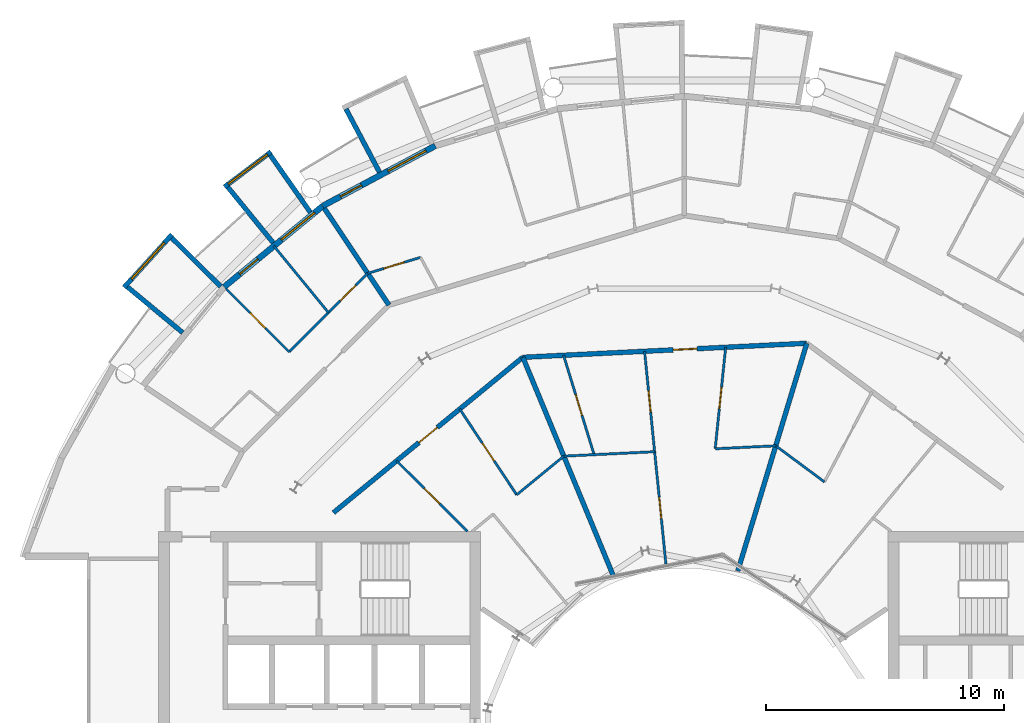
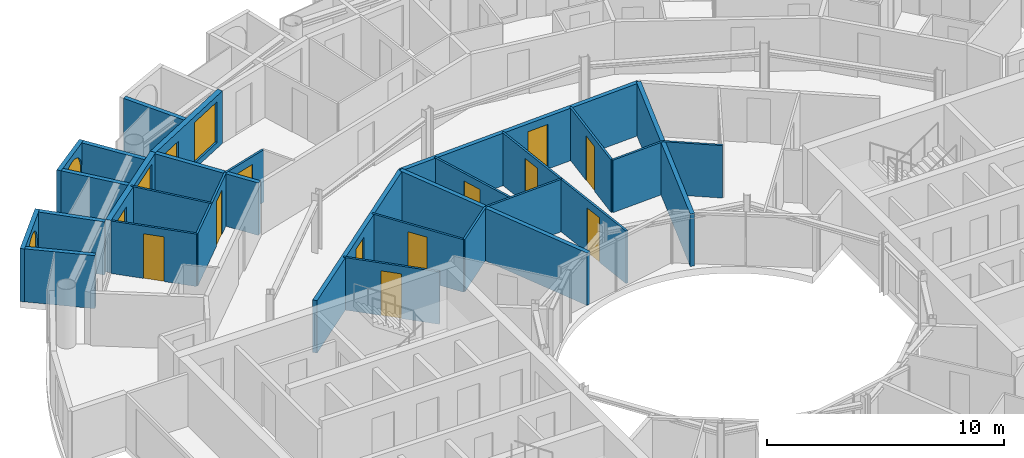
# One storey, part 21 of 29: 27 walls, 13 doors, 4 windows, 17 openings.
"""IFC4 building model written with IfcOpenShell, lengths in metres."""

from ifc_helpers import new_model, si_unit, direction, frame, frame_2d, origin, place, context, subcontext, project, spatial, rectangle, circle, extrude, material, layer, layer_set, type_object, element, fill, save


model = new_model("IFC4")

# Units and contexts
model_context = context("Model", 3, precision=1e-05, world=origin(), true_north=direction((0.0, 1.0)))
body_context = subcontext(model_context, "Body", "Model", "MODEL_VIEW")
ifc_project = project(units=[si_unit("LENGTHUNIT", "METRE"), si_unit("AREAUNIT", "SQUARE_METRE"), si_unit("VOLUMEUNIT", "CUBIC_METRE"), si_unit("PLANEANGLEUNIT", "RADIAN"), si_unit("MASSUNIT", "GRAM", prefix="KILO")], contexts=[model_context])

# Site, building, storey
site_placement = place(None, origin())
site = spatial("IfcSite", under=ifc_project, at=site_placement, CompositionType="ELEMENT")
building_placement = place(site_placement, origin())
building = spatial("IfcBuilding", under=site, at=building_placement, Name="Maasbend Ring Residences", CompositionType="ELEMENT")
storey_placement = place(building_placement, frame((0.0, 0.0, 205.449951171875)))
storey = spatial("IfcBuildingStorey", under=building, at=storey_placement, Name="L59", CompositionType="ELEMENT", Elevation=205.449951171875)

# Wall, opening, door
ifc_material_1 = material(Name="Concrete C30/37", Category="concrete")
ifc_layer_1 = layer(ifc_material_1, 0.199951171875)
ifc_layer_set_1 = layer_set([ifc_layer_1], Name="Concrete C30/37")
wall_type_1 = type_object("IfcWallType", Name="CORRIDOR WALL 200 CONCRETE", PredefinedType="PARTITIONING", material=ifc_layer_set_1)
wall_1_placement = place(storey_placement, frame((-6.782958984375, 16.35009765625, 0.0), z_axis=(0.0, 0.0, 1.0), x_axis=(0.998781156301, 0.049357895202, 0.0)))
wall_1 = element("IfcWall", 1, at=wall_1_placement, inside=storey, type_object=wall_type_1, Name="U-L59-w101", PredefinedType="PARTITIONING", context=body_context, shape_type="SweptSolid", body=[
    extrude(rectangle(XDim=11.9306640625, YDim=0.199951171875, at=frame_2d((5.96533203125, 0.0))), origin(), (0.0, 0.0, 1.0), 2.699951171875),
])
opening_1_placement = place(wall_1_placement, frame((6.322021484375, 0.0, 0.0)))
opening_1 = element("IfcOpeningElement", 2, at=opening_1_placement, cuts=wall_1, Name="Opening D-5925", PredefinedType="OPENING", context=body_context, shape_type="SweptSolid", body=[
    extrude(rectangle(XDim=1.0, YDim=2.300048828125, at=frame_2d((0.5, 1.14990234375))), frame((0.0, 0.10986328125, 0.0), z_axis=(0.0, -1.0, 0.0), x_axis=(1.0, 0.0, 0.0)), (0.0, 0.0, 1.0), 0.219970703125),
])
ifc_material_2 = material(Name="Timber, fire-rated, painted", Category="wood")
door_type_1 = type_object("IfcDoorType", Name="FLAT ENTRANCE DOOR 1000 X 2300 FIRE-RATED", OperationType="NOTDEFINED", PredefinedType="DOOR", material=ifc_material_2)
door_1_placement = place(opening_1_placement, origin())
door_1 = element("IfcDoor", 3, at=door_1_placement, inside=storey, type_object=door_type_1, Name="D-5925", OperationType="SINGLE_SWING_RIGHT", OverallHeight=2.300048828125, OverallWidth=1.0, PredefinedType="DOOR", context=body_context, shape_type="SweptSolid", body=[
    extrude(rectangle(XDim=1.0, YDim=2.300048828125, at=frame_2d((0.5, 1.14990234375))), frame((0.0, 0.02490234375, 0.0), z_axis=(0.0, -1.0, 0.0), x_axis=(1.0, 0.0, 0.0)), (0.0, 0.0, 1.0), 0.050048828125),
])
fill(opening_1, door_1)

wall_2_placement = place(storey_placement, frame((-14.717041015625, 9.833984375, 0.0), z_axis=(0.0, 0.0, 1.0), x_axis=(0.773034536097, 0.634363938131, 0.0)))
wall_2 = element("IfcWall", 4, at=wall_2_placement, inside=storey, type_object=wall_type_1, Name="U-L59-w103", PredefinedType="PARTITIONING", context=body_context, shape_type="SweptSolid", body=[
    extrude(rectangle(XDim=10.276611328125, YDim=0.199951171875, at=frame_2d((5.13818359375, 0.0))), origin(), (0.0, 0.0, 1.0), 2.699951171875),
])
opening_2_placement = place(wall_2_placement, frame((4.637939453125, 0.0, 0.0)))
opening_2 = element("IfcOpeningElement", 5, at=opening_2_placement, cuts=wall_2, Name="Opening D-5930", PredefinedType="OPENING", context=body_context, shape_type="SweptSolid", body=[
    extrude(rectangle(XDim=1.0, YDim=2.300048828125, at=frame_2d((0.5, 1.14990234375))), frame((0.0, 0.10986328125, 0.0), z_axis=(0.0, -1.0, 0.0), x_axis=(1.0, 0.0, 0.0)), (0.0, 0.0, 1.0), 0.219970703125),
])
door_2_placement = place(opening_2_placement, origin())
door_2 = element("IfcDoor", 6, at=door_2_placement, inside=storey, type_object=door_type_1, Name="D-5930", OperationType="SINGLE_SWING_LEFT", OverallHeight=2.300048828125, OverallWidth=1.0, PredefinedType="DOOR", context=body_context, shape_type="SweptSolid", body=[
    extrude(rectangle(XDim=1.0, YDim=2.300048828125, at=frame_2d((0.5, 1.14990234375))), frame((0.0, 0.02490234375, 0.0), z_axis=(0.0, -1.0, 0.0), x_axis=(1.0, 0.0, 0.0)), (0.0, 0.0, 1.0), 0.050048828125),
])
fill(opening_2, door_2)

# Wall
ifc_material_3 = material(Name="Pale anodised aluminium panel", Category="aluminium")
ifc_layer_2 = layer(ifc_material_3, 0.199951171875)
ifc_layer_set_2 = layer_set([ifc_layer_2], Name="EW-BOX")
wall_type_2 = type_object("IfcWallType", Name="EW-BOX", PredefinedType="SOLIDWALL", material=ifc_layer_set_2)
wall_3_placement = place(storey_placement, frame((-12.787109375, 24.113037109375, -0.030029296875), z_axis=(0.0, 0.0, 1.0), x_axis=(-0.468365282436, 0.883534924159, 0.0)))
element("IfcWall", 7, at=wall_3_placement, inside=storey, type_object=wall_type_2, Name="Box side wall N15 right", PredefinedType="SOLIDWALL", context=body_context, shape_type="SweptSolid", body=[
    extrude(rectangle(XDim=3.006103515625, YDim=0.199951171875, at=frame_2d((1.5029296875, 0.0))), origin(), (0.0, 0.0, 1.0), 2.72998046875),
])

# Wall, opening, window
wall_4_placement = place(storey_placement, frame((-17.3369140625, 24.971923828125, -0.030029296875), z_axis=(0.0, 0.0, 1.0), x_axis=(-0.797887588059, -0.602806268067, 0.0)))
wall_4 = element("IfcWall", 8, at=wall_4_placement, inside=storey, type_object=wall_type_2, Name="Box front N17", PredefinedType="SOLIDWALL", context=body_context, shape_type="SweptSolid", body=[
    extrude(rectangle(XDim=2.446533203125, YDim=0.199951171875, at=frame_2d((1.22314453125, 0.0))), origin(), (0.0, 0.0, 1.0), 2.72998046875),
])
opening_3_placement = place(wall_4_placement, frame((0.182861328125, 0.0, 0.330078125)))
opening_3 = element("IfcOpeningElement", 9, at=opening_3_placement, cuts=wall_4, Name="Opening W-RD", PredefinedType="OPENING", context=body_context, shape_type="SweptSolid", body=[
    extrude(circle(Radius=1.0400390625, at=frame_2d((1.0400390625, 1.0400390625))), frame((0.0, 0.10986328125, 0.0), z_axis=(0.0, -1.0, 0.0), x_axis=(1.0, 0.0, 0.0)), (0.0, 0.0, 1.0), 0.219970703125),
])
ifc_material_4 = material(Name="Aluminium and clear glass", Category="aluminium")
window_type_1 = type_object("IfcWindowType", Name="W-RD", PartitioningType="SINGLE_PANEL", PredefinedType="WINDOW", material=ifc_material_4)
window_1_placement = place(opening_3_placement, origin())
window_1 = element("IfcWindow", 10, at=window_1_placement, inside=storey, type_object=window_type_1, Name="Round window N17", OverallHeight=2.080078125, OverallWidth=2.080078125, PartitioningType="SINGLE_PANEL", PredefinedType="WINDOW", context=body_context, shape_type="SweptSolid", body=[
    extrude(circle(Radius=1.0400390625, at=frame_2d((1.0400390625, 1.0400390625))), frame((0.0, 0.030029296875, 0.0), z_axis=(0.0, -1.0, 0.0), x_axis=(1.0, 0.0, 0.0)), (0.0, 0.0, 1.0), 0.06005859375),
])
fill(opening_3, window_1)

# Walls
wall_5_placement = place(storey_placement, frame((-15.68798828125, 22.43310546875, -0.030029296875), z_axis=(0.0, 0.0, 1.0), x_axis=(-0.573260687834, 0.819373043115, 0.0)))
element("IfcWall", 11, at=wall_5_placement, inside=storey, type_object=wall_type_2, Name="Box side wall N17 left", PredefinedType="SOLIDWALL", context=body_context, shape_type="SweptSolid", body=[
    extrude(rectangle(XDim=2.92529296875, YDim=0.199951171875, at=frame_2d((1.462646484375, 0.0))), origin(), (0.0, 0.0, 1.0), 2.72998046875),
])
wall_6_placement = place(storey_placement, frame((-17.24609375, 21.155029296875, -0.030029296875), z_axis=(0.0, 0.0, 1.0), x_axis=(-0.631741648902, 0.775179004516, 0.0)))
element("IfcWall", 12, at=wall_6_placement, inside=storey, type_object=wall_type_2, Name="Box side wall N17 right", PredefinedType="SOLIDWALL", context=body_context, shape_type="SweptSolid", body=[
    extrude(rectangle(XDim=3.005859375, YDim=0.199951171875, at=frame_2d((1.5029296875, 0.0))), origin(), (0.0, 0.0, 1.0), 2.72998046875),
])

# Wall, opening, window
wall_7_placement = place(storey_placement, frame((-21.492919921875, 21.5, -0.030029296875), z_axis=(0.0, 0.0, 1.0), x_axis=(-0.671506829416, -0.740998365753, 0.0)))
wall_7 = element("IfcWall", 13, at=wall_7_placement, inside=storey, type_object=wall_type_2, Name="Box front N19", PredefinedType="SOLIDWALL", context=body_context, shape_type="SweptSolid", body=[
    extrude(rectangle(XDim=2.9931640625, YDim=0.199951171875, at=frame_2d((1.49658203125, 0.0))), origin(), (0.0, 0.0, 1.0), 2.72998046875),
])
opening_4_placement = place(wall_7_placement, frame((0.45654296875, 0.0, 0.330078125)))
opening_4 = element("IfcOpeningElement", 14, at=opening_4_placement, cuts=wall_7, Name="Opening W-RD", PredefinedType="OPENING", context=body_context, shape_type="SweptSolid", body=[
    extrude(circle(Radius=1.0400390625, at=frame_2d((1.0400390625, 1.0400390625))), frame((0.0, 0.10986328125, 0.0), z_axis=(0.0, -1.0, 0.0), x_axis=(1.0, 0.0, 0.0)), (0.0, 0.0, 1.0), 0.219970703125),
])
window_2_placement = place(opening_4_placement, origin())
window_2 = element("IfcWindow", 15, at=window_2_placement, inside=storey, type_object=window_type_1, Name="Round window N19", OverallHeight=2.080078125, OverallWidth=2.080078125, PartitioningType="SINGLE_PANEL", PredefinedType="WINDOW", context=body_context, shape_type="SweptSolid", body=[
    extrude(circle(Radius=1.0400390625, at=frame_2d((1.0400390625, 1.0400390625))), frame((0.0, 0.030029296875, 0.0), z_axis=(0.0, -1.0, 0.0), x_axis=(1.0, 0.0, 0.0)), (0.0, 0.0, 1.0), 0.06005859375),
])
fill(opening_4, window_2)

# Walls
wall_8_placement = place(storey_placement, frame((-19.449951171875, 19.322998046875, -0.030029296875), z_axis=(0.0, 0.0, 1.0), x_axis=(-0.709727076896, 0.704476739375, 0.0)))
element("IfcWall", 16, at=wall_8_placement, inside=storey, type_object=wall_type_2, Name="Box side wall N19 left", PredefinedType="SOLIDWALL", context=body_context, shape_type="SweptSolid", body=[
    extrude(rectangle(XDim=2.883056640625, YDim=0.199951171875, at=frame_2d((1.44140625, 0.0))), origin(), (0.0, 0.0, 1.0), 2.72998046875),
])
wall_9_placement = place(storey_placement, frame((-21.041015625, 17.384033203125, -0.030029296875), z_axis=(0.0, 0.0, 1.0), x_axis=(-0.770784861449, 0.63709551667, 0.0)))
element("IfcWall", 17, at=wall_9_placement, inside=storey, type_object=wall_type_2, Name="Box side wall N19 right", PredefinedType="SOLIDWALL", context=body_context, shape_type="SweptSolid", body=[
    extrude(rectangle(XDim=3.005859375, YDim=0.199951171875, at=frame_2d((1.5029296875, 0.0))), origin(), (0.0, 0.0, 1.0), 2.72998046875),
])

# Wall, openings, door, window
ifc_material_5 = material(Name="Aluminium clad insulated panel", Category="aluminium")
ifc_layer_3 = layer(ifc_material_5, 0.25)
ifc_layer_set_3 = layer_set([ifc_layer_3], Name="EW-GL")
wall_type_3 = type_object("IfcWallType", Name="EW-GL", PredefinedType="SOLIDWALL", material=ifc_layer_set_3)
wall_10_placement = place(storey_placement, frame((-10.447021484375, 25.221923828125, 0.0), z_axis=(0.0, 0.0, 1.0), x_axis=(-0.881915646801, -0.471407246368, 0.0)))
wall_10 = element("IfcWall", 18, at=wall_10_placement, inside=storey, type_object=wall_type_3, Name="External wall N08", PredefinedType="SOLIDWALL", context=body_context, shape_type="SweptSolid", body=[
    extrude(rectangle(XDim=5.35205078125, YDim=0.25, at=frame_2d((2.676025390625, 0.0))), origin(), (0.0, 0.0, 1.0), 2.699951171875),
])
opening_5_placement = place(wall_10_placement, frame((0.441162109375, 0.0, 0.300048828125)))
opening_5 = element("IfcOpeningElement", 19, at=opening_5_placement, cuts=wall_10, Name="Opening W-BX", PredefinedType="OPENING", context=body_context, shape_type="SweptSolid", body=[
    extrude(rectangle(XDim=1.800048828125, YDim=2.10009765625, at=frame_2d((0.89990234375, 1.050048828125))), frame((0.0, 0.135009765625, 0.0), z_axis=(0.0, -1.0, 0.0), x_axis=(1.0, 0.0, 0.0)), (0.0, 0.0, 1.0), 0.27001953125),
])
opening_6_placement = place(wall_10_placement, frame((3.510498046875, 0.0, 0.0)))
opening_6 = element("IfcOpeningElement", 20, at=opening_6_placement, cuts=wall_10, Name="Opening D-LG", PredefinedType="OPENING", context=body_context, shape_type="SweptSolid", body=[
    extrude(rectangle(XDim=1.0, YDim=2.199951171875, at=frame_2d((0.5, 1.10009765625))), frame((0.0, 0.135009765625, 0.0), z_axis=(0.0, -1.0, 0.0), x_axis=(1.0, 0.0, 0.0)), (0.0, 0.0, 1.0), 0.27001953125),
])
ifc_material_6 = material(Name="Aluminium and clear glass", Category="aluminium")
door_type_2 = type_object("IfcDoorType", Name="D-LG", OperationType="SINGLE_SWING_LEFT", PredefinedType="DOOR", material=ifc_material_6)
door_3_placement = place(opening_6_placement, origin())
door_3 = element("IfcDoor", 21, at=door_3_placement, inside=storey, type_object=door_type_2, Name="Loggia door N16", OperationType="SINGLE_SWING_LEFT", OverallHeight=2.199951171875, OverallWidth=1.0, PredefinedType="DOOR", context=body_context, shape_type="SweptSolid", body=[
    extrude(rectangle(XDim=1.0, YDim=2.199951171875, at=frame_2d((0.5, 1.10009765625))), frame((0.0, 0.02490234375, 0.0), z_axis=(0.0, -1.0, 0.0), x_axis=(1.0, 0.0, 0.0)), (0.0, 0.0, 1.0), 0.050048828125),
])
fill(opening_6, door_3)
ifc_material_7 = material(Name="Aluminium and clear glass", Category="aluminium")
window_type_2 = type_object("IfcWindowType", Name="W-BX", PartitioningType="DOUBLE_PANEL_VERTICAL", PredefinedType="WINDOW", material=ifc_material_7)
window_3_placement = place(opening_5_placement, origin())
window_3 = element("IfcWindow", 22, at=window_3_placement, inside=storey, type_object=window_type_2, Name="Window N15 room to box", OverallHeight=2.10009765625, OverallWidth=1.800048828125, PartitioningType="SINGLE_PANEL", PredefinedType="WINDOW", context=body_context, shape_type="SweptSolid", body=[
    extrude(rectangle(XDim=1.800048828125, YDim=2.10009765625, at=frame_2d((0.89990234375, 1.050048828125))), frame((0.0, 0.030029296875, 0.0), z_axis=(0.0, -1.0, 0.0), x_axis=(1.0, 0.0, 0.0)), (0.0, 0.0, 1.0), 0.06005859375),
])
fill(opening_5, window_3)

wall_11_placement = place(storey_placement, frame((-15.1669921875, 22.698974609375, 0.0), z_axis=(0.0, 0.0, 1.0), x_axis=(-0.773019449054, -0.634382322723, 0.0)))
wall_11 = element("IfcWall", 23, at=wall_11_placement, inside=storey, type_object=wall_type_3, Name="External wall N09", PredefinedType="SOLIDWALL", context=body_context, shape_type="SweptSolid", body=[
    extrude(rectangle(XDim=5.351806640625, YDim=0.25, at=frame_2d((2.67578125, 0.0))), origin(), (0.0, 0.0, 1.0), 2.699951171875),
])
opening_7_placement = place(wall_11_placement, frame((0.441162109375, 0.0, 0.300048828125)))
opening_7 = element("IfcOpeningElement", 24, at=opening_7_placement, cuts=wall_11, Name="Opening W-BX", PredefinedType="OPENING", context=body_context, shape_type="SweptSolid", body=[
    extrude(rectangle(XDim=1.800048828125, YDim=2.10009765625, at=frame_2d((0.89990234375, 1.050048828125))), frame((0.0, 0.135009765625, 0.0), z_axis=(0.0, -1.0, 0.0), x_axis=(1.0, 0.0, 0.0)), (0.0, 0.0, 1.0), 0.27001953125),
])
opening_8_placement = place(wall_11_placement, frame((3.510498046875, 0.0, 0.0)))
opening_8 = element("IfcOpeningElement", 25, at=opening_8_placement, cuts=wall_11, Name="Opening D-LG", PredefinedType="OPENING", context=body_context, shape_type="SweptSolid", body=[
    extrude(rectangle(XDim=1.0, YDim=2.199951171875, at=frame_2d((0.5, 1.10009765625))), frame((0.0, 0.135009765625, 0.0), z_axis=(0.0, -1.0, 0.0), x_axis=(1.0, 0.0, 0.0)), (0.0, 0.0, 1.0), 0.27001953125),
])
door_4_placement = place(opening_8_placement, origin())
door_4 = element("IfcDoor", 26, at=door_4_placement, inside=storey, type_object=door_type_2, Name="Loggia door N18", OperationType="SINGLE_SWING_LEFT", OverallHeight=2.199951171875, OverallWidth=1.0, PredefinedType="DOOR", context=body_context, shape_type="SweptSolid", body=[
    extrude(rectangle(XDim=1.0, YDim=2.199951171875, at=frame_2d((0.5, 1.10009765625))), frame((0.0, 0.02490234375, 0.0), z_axis=(0.0, -1.0, 0.0), x_axis=(1.0, 0.0, 0.0)), (0.0, 0.0, 1.0), 0.050048828125),
])
fill(opening_8, door_4)
window_4_placement = place(opening_7_placement, origin())
window_4 = element("IfcWindow", 27, at=window_4_placement, inside=storey, type_object=window_type_2, Name="Window N17 room to box", OverallHeight=2.10009765625, OverallWidth=1.800048828125, PartitioningType="SINGLE_PANEL", PredefinedType="WINDOW", context=body_context, shape_type="SweptSolid", body=[
    extrude(rectangle(XDim=1.800048828125, YDim=2.10009765625, at=frame_2d((0.89990234375, 1.050048828125))), frame((0.0, 0.030029296875, 0.0), z_axis=(0.0, -1.0, 0.0), x_axis=(1.0, 0.0, 0.0)), (0.0, 0.0, 1.0), 0.06005859375),
])
fill(opening_7, window_4)

# Wall, opening, door
ifc_material_8 = material(Name="Gypsum board on steel studs", Category="steel")
ifc_layer_4 = layer(ifc_material_8, 0.10009765625)
ifc_layer_set_4 = layer_set([ifc_layer_4], Name="PARTITION 100 GYPSUM")
wall_type_4 = type_object("IfcWallType", Name="PARTITION 100 GYPSUM", PredefinedType="PARTITIONING", material=ifc_layer_set_4)
wall_12_placement = place(storey_placement, frame((-5.06591796875, 16.43798828125, 0.0), z_axis=(0.0, 0.0, 1.0), x_axis=(0.293735983257, -0.955886589581, 0.0)))
wall_12 = element("IfcWall", 28, at=wall_12_placement, inside=storey, type_object=wall_type_4, Name="U-L59-w032", PredefinedType="PARTITIONING", context=body_context, shape_type="SweptSolid", body=[
    extrude(rectangle(XDim=4.364501953125, YDim=0.10009765625, at=frame_2d((2.18212890625, 0.0))), origin(), (0.0, 0.0, 1.0), 2.699951171875),
])
opening_9_placement = place(wall_12_placement, frame((1.73193359375, 0.0, 0.0)))
opening_9 = element("IfcOpeningElement", 29, at=opening_9_placement, cuts=wall_12, Name="Opening D-5928", PredefinedType="OPENING", context=body_context, shape_type="SweptSolid", body=[
    extrude(rectangle(XDim=0.89990234375, YDim=2.300048828125, at=frame_2d((0.449951171875, 1.14990234375))), frame((0.0, 0.06005859375, 0.0), z_axis=(0.0, -1.0, 0.0), x_axis=(1.0, 0.0, 0.0)), (0.0, 0.0, 1.0), 0.1201171875),
])
ifc_material_9 = material(Name="Timber, painted", Category="wood")
door_type_3 = type_object("IfcDoorType", Name="INTERNAL DOOR 900 X 2300", OperationType="NOTDEFINED", PredefinedType="DOOR", material=ifc_material_9)
door_5_placement = place(opening_9_placement, origin())
door_5 = element("IfcDoor", 30, at=door_5_placement, inside=storey, type_object=door_type_3, Name="D-5928", OperationType="SINGLE_SWING_LEFT", OverallHeight=2.300048828125, OverallWidth=0.89990234375, PredefinedType="DOOR", context=body_context, shape_type="SweptSolid", body=[
    extrude(rectangle(XDim=0.89990234375, YDim=2.300048828125, at=frame_2d((0.449951171875, 1.14990234375))), frame((0.0, 0.02490234375, 0.0), z_axis=(0.0, -1.0, 0.0), x_axis=(1.0, 0.0, 0.0)), (0.0, 0.0, 1.0), 0.050048828125),
])
fill(opening_9, door_5)

wall_13_placement = place(storey_placement, frame((-19.216064453125, 19.216064453125, 0.0), z_axis=(0.0, 0.0, 1.0), x_axis=(0.707106781187, -0.707106781187, 0.0)))
wall_13 = element("IfcWall", 31, at=wall_13_placement, inside=storey, type_object=wall_type_4, Name="U-L59-w039", PredefinedType="PARTITIONING", context=body_context, shape_type="SweptSolid", body=[
    extrude(rectangle(XDim=3.735107421875, YDim=0.10009765625, at=frame_2d((1.86767578125, 0.0))), origin(), (0.0, 0.0, 1.0), 2.699951171875),
])
opening_10_placement = place(wall_13_placement, frame((1.4169921875, 0.0, 0.0)))
opening_10 = element("IfcOpeningElement", 32, at=opening_10_placement, cuts=wall_13, Name="Opening D-5919", PredefinedType="OPENING", context=body_context, shape_type="SweptSolid", body=[
    extrude(rectangle(XDim=0.89990234375, YDim=2.300048828125, at=frame_2d((0.449951171875, 1.14990234375))), frame((0.0, 0.06005859375, 0.0), z_axis=(0.0, -1.0, 0.0), x_axis=(1.0, 0.0, 0.0)), (0.0, 0.0, 1.0), 0.1201171875),
])
door_6_placement = place(opening_10_placement, origin())
door_6 = element("IfcDoor", 33, at=door_6_placement, inside=storey, type_object=door_type_3, Name="D-5919", OperationType="SINGLE_SWING_LEFT", OverallHeight=2.300048828125, OverallWidth=0.89990234375, PredefinedType="DOOR", context=body_context, shape_type="SweptSolid", body=[
    extrude(rectangle(XDim=0.89990234375, YDim=2.300048828125, at=frame_2d((0.449951171875, 1.14990234375))), frame((0.0, 0.02490234375, 0.0), z_axis=(0.0, -1.0, 0.0), x_axis=(1.0, 0.0, 0.0)), (0.0, 0.0, 1.0), 0.050048828125),
])
fill(opening_10, door_6)

# Wall
wall_14_placement = place(storey_placement, frame((-17.219970703125, 21.02294921875, 0.0), z_axis=(0.0, 0.0, 1.0), x_axis=(0.633737383709, -0.773548271597, 0.0)))
element("IfcWall", 34, at=wall_14_placement, inside=storey, type_object=wall_type_4, Name="U-L59-w040", PredefinedType="PARTITIONING", context=body_context, shape_type="SweptSolid", body=[
    extrude(rectangle(XDim=3.6181640625, YDim=0.10009765625, at=frame_2d((1.80908203125, 0.0))), origin(), (0.0, 0.0, 1.0), 2.699951171875),
])

# Wall, opening, door
wall_15_placement = place(storey_placement, frame((-12.069091796875, 12.007080078125, 0.0), z_axis=(0.0, 0.0, 1.0), x_axis=(0.708909651863, -0.705299302067, 0.0)))
wall_15 = element("IfcWall", 35, at=wall_15_placement, inside=storey, type_object=wall_type_4, Name="U-L59-w046", PredefinedType="PARTITIONING", context=body_context, shape_type="SweptSolid", body=[
    extrude(rectangle(XDim=4.192626953125, YDim=0.10009765625, at=frame_2d((2.09619140625, 0.0))), origin(), (0.0, 0.0, 1.0), 2.699951171875),
])
opening_11_placement = place(wall_15_placement, frame((1.64599609375, 0.0, 0.0)))
opening_11 = element("IfcOpeningElement", 36, at=opening_11_placement, cuts=wall_15, Name="Opening D-5932", PredefinedType="OPENING", context=body_context, shape_type="SweptSolid", body=[
    extrude(rectangle(XDim=0.89990234375, YDim=2.300048828125, at=frame_2d((0.449951171875, 1.14990234375))), frame((0.0, 0.06005859375, 0.0), z_axis=(0.0, -1.0, 0.0), x_axis=(1.0, 0.0, 0.0)), (0.0, 0.0, 1.0), 0.1201171875),
])
door_7_placement = place(opening_11_placement, origin())
door_7 = element("IfcDoor", 37, at=door_7_placement, inside=storey, type_object=door_type_3, Name="D-5932", OperationType="SINGLE_SWING_RIGHT", OverallHeight=2.300048828125, OverallWidth=0.89990234375, PredefinedType="DOOR", context=body_context, shape_type="SweptSolid", body=[
    extrude(rectangle(XDim=0.89990234375, YDim=2.300048828125, at=frame_2d((0.449951171875, 1.14990234375))), frame((0.0, 0.02490234375, 0.0), z_axis=(0.0, -1.0, 0.0), x_axis=(1.0, 0.0, 0.0)), (0.0, 0.0, 1.0), 0.050048828125),
])
fill(opening_11, door_7)

wall_16_placement = place(storey_placement, frame((-9.4208984375, 14.179931640625, 0.0), z_axis=(0.0, 0.0, 1.0), x_axis=(0.553303732327, -0.832979579457, 0.0)))
wall_16 = element("IfcWall", 38, at=wall_16_placement, inside=storey, type_object=wall_type_4, Name="U-L59-w049", PredefinedType="PARTITIONING", context=body_context, shape_type="SweptSolid", body=[
    extrude(rectangle(XDim=4.3193359375, YDim=0.10009765625, at=frame_2d((2.15966796875, 0.0))), origin(), (0.0, 0.0, 1.0), 2.699951171875),
])
opening_12_placement = place(wall_16_placement, frame((1.7099609375, 0.0, 0.0)))
opening_12 = element("IfcOpeningElement", 39, at=opening_12_placement, cuts=wall_16, Name="Opening D-5931", PredefinedType="OPENING", context=body_context, shape_type="SweptSolid", body=[
    extrude(rectangle(XDim=0.89990234375, YDim=2.300048828125, at=frame_2d((0.449951171875, 1.14990234375))), frame((0.0, 0.06005859375, 0.0), z_axis=(0.0, -1.0, 0.0), x_axis=(1.0, 0.0, 0.0)), (0.0, 0.0, 1.0), 0.1201171875),
])
door_8_placement = place(opening_12_placement, origin())
door_8 = element("IfcDoor", 40, at=door_8_placement, inside=storey, type_object=door_type_3, Name="D-5931", OperationType="SINGLE_SWING_RIGHT", OverallHeight=2.300048828125, OverallWidth=0.89990234375, PredefinedType="DOOR", context=body_context, shape_type="SweptSolid", body=[
    extrude(rectangle(XDim=0.89990234375, YDim=2.300048828125, at=frame_2d((0.449951171875, 1.14990234375))), frame((0.0, 0.02490234375, 0.0), z_axis=(0.0, -1.0, 0.0), x_axis=(1.0, 0.0, 0.0)), (0.0, 0.0, 1.0), 0.050048828125),
])
fill(opening_12, door_8)

# Wall, openings, doors
wall_17_placement = place(storey_placement, frame((-1.66796875, 16.60302734375, 0.0), z_axis=(0.0, 0.0, 1.0), x_axis=(0.099921543882, -0.994995319119, 0.0)))
wall_17 = element("IfcWall", 41, at=wall_17_placement, inside=storey, type_object=wall_type_4, Name="U-L59-w060", PredefinedType="PARTITIONING", context=body_context, shape_type="SweptSolid", body=[
    extrude(rectangle(XDim=8.967041015625, YDim=0.10009765625, at=frame_2d((4.4833984375, 0.0))), origin(), (0.0, 0.0, 1.0), 2.699951171875),
])
opening_13_placement = place(wall_17_placement, frame((1.6669921875, 0.0, 0.0)))
opening_13 = element("IfcOpeningElement", 42, at=opening_13_placement, cuts=wall_17, Name="Opening D-5927", PredefinedType="OPENING", context=body_context, shape_type="SweptSolid", body=[
    extrude(rectangle(XDim=0.89990234375, YDim=2.300048828125, at=frame_2d((0.449951171875, 1.14990234375))), frame((0.0, 0.06005859375, 0.0), z_axis=(0.0, -1.0, 0.0), x_axis=(1.0, 0.0, 0.0)), (0.0, 0.0, 1.0), 0.1201171875),
])
opening_14_placement = place(wall_17_placement, frame((6.14990234375, 0.0, 0.0)))
opening_14 = element("IfcOpeningElement", 43, at=opening_14_placement, cuts=wall_17, Name="Opening D-5929", PredefinedType="OPENING", context=body_context, shape_type="SweptSolid", body=[
    extrude(rectangle(XDim=0.89990234375, YDim=2.300048828125, at=frame_2d((0.449951171875, 1.14990234375))), frame((0.0, 0.06005859375, 0.0), z_axis=(0.0, -1.0, 0.0), x_axis=(1.0, 0.0, 0.0)), (0.0, 0.0, 1.0), 0.1201171875),
])
door_9_placement = place(opening_13_placement, origin())
door_9 = element("IfcDoor", 44, at=door_9_placement, inside=storey, type_object=door_type_3, Name="D-5927", OperationType="SINGLE_SWING_LEFT", OverallHeight=2.300048828125, OverallWidth=0.89990234375, PredefinedType="DOOR", context=body_context, shape_type="SweptSolid", body=[
    extrude(rectangle(XDim=0.89990234375, YDim=2.300048828125, at=frame_2d((0.449951171875, 1.14990234375))), frame((0.0, 0.02490234375, 0.0), z_axis=(0.0, -1.0, 0.0), x_axis=(1.0, 0.0, 0.0)), (0.0, 0.0, 1.0), 0.050048828125),
])
fill(opening_13, door_9)
door_10_placement = place(opening_14_placement, origin())
door_10 = element("IfcDoor", 45, at=door_10_placement, inside=storey, type_object=door_type_3, Name="D-5929", OperationType="SINGLE_SWING_RIGHT", OverallHeight=2.300048828125, OverallWidth=0.89990234375, PredefinedType="DOOR", context=body_context, shape_type="SweptSolid", body=[
    extrude(rectangle(XDim=0.89990234375, YDim=2.300048828125, at=frame_2d((0.449951171875, 1.14990234375))), frame((0.0, 0.02490234375, 0.0), z_axis=(0.0, -1.0, 0.0), x_axis=(1.0, 0.0, 0.0)), (0.0, 0.0, 1.0), 0.050048828125),
])
fill(opening_14, door_10)

# Wall, opening, door
wall_18_placement = place(storey_placement, frame((1.294921875, 12.514892578125, 0.0), z_axis=(0.0, 0.0, 1.0), x_axis=(0.102875790791, 0.994694210131, 0.0)))
wall_18 = element("IfcWall", 46, at=wall_18_placement, inside=storey, type_object=wall_type_4, Name="U-L59-w065", PredefinedType="PARTITIONING", context=body_context, shape_type="SweptSolid", body=[
    extrude(rectangle(XDim=4.27880859375, YDim=0.10009765625, at=frame_2d((2.139404296875, 0.0))), origin(), (0.0, 0.0, 1.0), 2.699951171875),
])
opening_15_placement = place(wall_18_placement, frame((1.68896484375, 0.0, 0.0)))
opening_15 = element("IfcOpeningElement", 47, at=opening_15_placement, cuts=wall_18, Name="Opening D-5926", PredefinedType="OPENING", context=body_context, shape_type="SweptSolid", body=[
    extrude(rectangle(XDim=0.89990234375, YDim=2.300048828125, at=frame_2d((0.449951171875, 1.14990234375))), frame((0.0, 0.06005859375, 0.0), z_axis=(0.0, -1.0, 0.0), x_axis=(1.0, 0.0, 0.0)), (0.0, 0.0, 1.0), 0.1201171875),
])
door_11_placement = place(opening_15_placement, origin())
door_11 = element("IfcDoor", 48, at=door_11_placement, inside=storey, type_object=door_type_3, Name="D-5926", OperationType="SINGLE_SWING_RIGHT", OverallHeight=2.300048828125, OverallWidth=0.89990234375, PredefinedType="DOOR", context=body_context, shape_type="SweptSolid", body=[
    extrude(rectangle(XDim=0.89990234375, YDim=2.300048828125, at=frame_2d((0.449951171875, 1.14990234375))), frame((0.0, 0.02490234375, 0.0), z_axis=(0.0, -1.0, 0.0), x_axis=(1.0, 0.0, 0.0)), (0.0, 0.0, 1.0), 0.050048828125),
])
fill(opening_15, door_11)

# Walls
wall_19_placement = place(storey_placement, frame((-5.054931640625, 12.2041015625, 0.0), z_axis=(0.0, 0.0, 1.0), x_axis=(0.998816217325, 0.048643231882, 0.0)))
element("IfcWall", 49, at=wall_19_placement, inside=storey, type_object=wall_type_4, Name="U-L59-w095", PredefinedType="PARTITIONING", context=body_context, shape_type="SweptSolid", body=[
    extrude(rectangle(XDim=3.819580078125, YDim=0.10009765625, at=frame_2d((1.90966796875, 0.0))), origin(), (0.0, 0.0, 1.0), 2.699951171875),
])
wall_20_placement = place(storey_placement, frame((1.300048828125, 12.513916015625, 0.0), z_axis=(0.0, 0.0, 1.0), x_axis=(0.99880915717, 0.048787985754, 0.0)))
element("IfcWall", 50, at=wall_20_placement, inside=storey, type_object=wall_type_4, Name="U-L59-w096", PredefinedType="PARTITIONING", context=body_context, shape_type="SweptSolid", body=[
    extrude(rectangle(XDim=2.5419921875, YDim=0.10009765625, at=frame_2d((1.27099609375, 0.0))), origin(), (0.0, 0.0, 1.0), 2.699951171875),
])
wall_21_placement = place(storey_placement, frame((3.833984375, 12.639892578125, 0.0), z_axis=(0.0, 0.0, 1.0), x_axis=(0.803259509791, -0.595629213463, 0.0)))
element("IfcWall", 51, at=wall_21_placement, inside=storey, type_object=wall_type_4, Name="U-L59-w097", PredefinedType="PARTITIONING", context=body_context, shape_type="SweptSolid", body=[
    extrude(rectangle(XDim=2.54345703125, YDim=0.10009765625, at=frame_2d((1.271728515625, 0.0))), origin(), (0.0, 0.0, 1.0), 2.699951171875),
])
wall_22_placement = place(storey_placement, frame((-7.032958984375, 10.5810546875, 0.0), z_axis=(0.0, 0.0, 1.0), x_axis=(0.772990508216, 0.634417586617, 0.0)))
element("IfcWall", 52, at=wall_22_placement, inside=storey, type_object=wall_type_4, Name="U-L59-w100", PredefinedType="PARTITIONING", context=body_context, shape_type="SweptSolid", body=[
    extrude(rectangle(XDim=2.556396484375, YDim=0.10009765625, at=frame_2d((1.2783203125, 0.0))), origin(), (0.0, 0.0, 1.0), 2.699951171875),
])

# Wall, opening, door
wall_23_placement = place(storey_placement, frame((-13.278076171875, 19.8720703125, 0.0), z_axis=(0.0, 0.0, 1.0), x_axis=(0.956994210955, 0.29010701508, 0.0)))
wall_23 = element("IfcWall", 53, at=wall_23_placement, inside=storey, type_object=wall_type_4, Name="U-L59-w113", PredefinedType="PARTITIONING", context=body_context, shape_type="SweptSolid", body=[
    extrude(rectangle(XDim=2.3125, YDim=0.10009765625, at=frame_2d((1.15625, 0.0))), origin(), (0.0, 0.0, 1.0), 2.699951171875),
])
opening_16_placement = place(wall_23_placement, frame((0.7060546875, 0.0, 0.0)))
opening_16 = element("IfcOpeningElement", 54, at=opening_16_placement, cuts=wall_23, Name="Opening D-5912", PredefinedType="OPENING", context=body_context, shape_type="SweptSolid", body=[
    extrude(rectangle(XDim=0.89990234375, YDim=2.300048828125, at=frame_2d((0.449951171875, 1.14990234375))), frame((0.0, 0.06005859375, 0.0), z_axis=(0.0, -1.0, 0.0), x_axis=(1.0, 0.0, 0.0)), (0.0, 0.0, 1.0), 0.1201171875),
])
door_12_placement = place(opening_16_placement, origin())
door_12 = element("IfcDoor", 55, at=door_12_placement, inside=storey, type_object=door_type_3, Name="D-5912", OperationType="SINGLE_SWING_LEFT", OverallHeight=2.300048828125, OverallWidth=0.89990234375, PredefinedType="DOOR", context=body_context, shape_type="SweptSolid", body=[
    extrude(rectangle(XDim=0.89990234375, YDim=2.300048828125, at=frame_2d((0.449951171875, 1.14990234375))), frame((0.0, 0.02490234375, 0.0), z_axis=(0.0, -1.0, 0.0), x_axis=(1.0, 0.0, 0.0)), (0.0, 0.0, 1.0), 0.050048828125),
])
fill(opening_16, door_12)

wall_24_placement = place(storey_placement, frame((-16.574951171875, 16.574951171875, 0.0), z_axis=(0.0, 0.0, 1.0), x_axis=(0.707080600289, 0.707132961115, 0.0)))
wall_24 = element("IfcWall", 56, at=wall_24_placement, inside=storey, type_object=wall_type_4, Name="U-L59-w116", PredefinedType="PARTITIONING", context=body_context, shape_type="SweptSolid", body=[
    extrude(rectangle(XDim=4.66259765625, YDim=0.10009765625, at=frame_2d((2.331298828125, 0.0))), origin(), (0.0, 0.0, 1.0), 2.699951171875),
])
opening_17_placement = place(wall_24_placement, frame((3.04296875, 0.0, 0.0)))
opening_17 = element("IfcOpeningElement", 57, at=opening_17_placement, cuts=wall_24, Name="Opening D-5920", PredefinedType="OPENING", context=body_context, shape_type="SweptSolid", body=[
    extrude(rectangle(XDim=0.89990234375, YDim=2.300048828125, at=frame_2d((0.449951171875, 1.14990234375))), frame((0.0, 0.06005859375, 0.0), z_axis=(0.0, -1.0, 0.0), x_axis=(1.0, 0.0, 0.0)), (0.0, 0.0, 1.0), 0.1201171875),
])
door_13_placement = place(opening_17_placement, origin())
door_13 = element("IfcDoor", 58, at=door_13_placement, inside=storey, type_object=door_type_3, Name="D-5920", OperationType="SINGLE_SWING_RIGHT", OverallHeight=2.300048828125, OverallWidth=0.89990234375, PredefinedType="DOOR", context=body_context, shape_type="SweptSolid", body=[
    extrude(rectangle(XDim=0.89990234375, YDim=2.300048828125, at=frame_2d((0.449951171875, 1.14990234375))), frame((0.0, 0.02490234375, 0.0), z_axis=(0.0, -1.0, 0.0), x_axis=(1.0, 0.0, 0.0)), (0.0, 0.0, 1.0), 0.050048828125),
])
fill(opening_17, door_13)

# Walls
ifc_material_10 = material(Name="Concrete C30/37", Category="concrete")
ifc_layer_5 = layer(ifc_material_10, 0.199951171875)
ifc_layer_set_5 = layer_set([ifc_layer_5], Name="Concrete C30/37")
wall_type_5 = type_object("IfcWallType", Name="PARTY WALL 200 CONCRETE", PredefinedType="PARTITIONING", material=ifc_layer_set_5)
wall_25_placement = place(storey_placement, frame((-15.097900390625, 22.594970703125, 0.0), z_axis=(0.0, 0.0, 1.0), x_axis=(0.55569370664, -0.831387096605, 0.0)))
element("IfcWall", 59, at=wall_25_placement, inside=storey, type_object=wall_type_5, Name="U-L59-w042", PredefinedType="PARTITIONING", context=body_context, shape_type="SweptSolid", body=[
    extrude(rectangle(XDim=4.875, YDim=0.199951171875, at=frame_2d((2.4375, 0.0))), origin(), (0.0, 0.0, 1.0), 2.699951171875),
])
wall_26_placement = place(storey_placement, frame((-6.77294921875, 16.35302734375, 0.0), z_axis=(0.0, 0.0, 1.0), x_axis=(0.382549125466, -0.923935152814, 0.0)))
element("IfcWall", 60, at=wall_26_placement, inside=storey, type_object=wall_type_5, Name="U-L59-w054", PredefinedType="PARTITIONING", context=body_context, shape_type="SweptSolid", body=[
    extrude(rectangle(XDim=9.97998046875, YDim=0.199951171875, at=frame_2d((4.989990234375, 0.0))), origin(), (0.0, 0.0, 1.0), 2.699951171875),
])
wall_27_placement = place(storey_placement, frame((2.243896484375, 7.386962890625, 0.0), z_axis=(0.0, 0.0, 1.0), x_axis=(0.290078004911, 0.957003004732, 0.0)))
element("IfcWall", 61, at=wall_27_placement, inside=storey, type_object=wall_type_5, Name="U-L59-w067", PredefinedType="PARTITIONING", context=body_context, shape_type="SweptSolid", body=[
    extrude(rectangle(XDim=9.980224609375, YDim=0.199951171875, at=frame_2d((4.990234375, 0.0))), origin(), (0.0, 0.0, 1.0), 2.699951171875),
])

save(model, "model.ifc")
